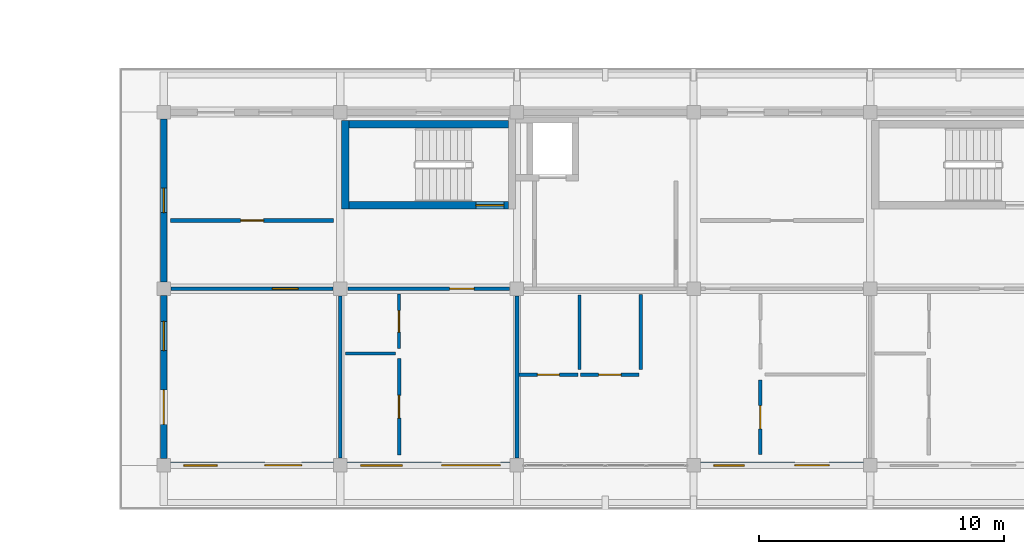
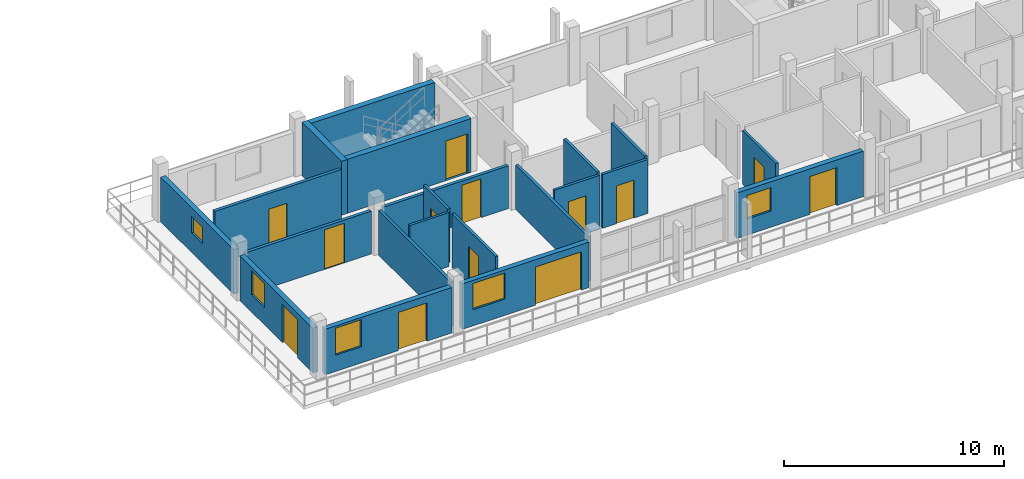
# One storey, part 44 of 67: 21 walls, 13 doors, 5 windows, 18 openings.
"""IFC4 building model written with IfcOpenShell, lengths in metres."""

import ifcopenshell
import ifcopenshell.guid

model = None  # the IFC model being written
_history = None  # IfcOwnerHistory: only IFC2X3 demands one
_inside = {}  # id of a spatial element -> (the spatial element, [elements in it])
_under = {}  # id of a project, library or spatial element -> (it, [spatial elements below it])
_declared = {}  # id of a project -> (the project, [libraries it declares])
_typed = {}  # id of a type object -> (the type object, [elements of that type])
_made_of = {}  # id of a material, layer set ... -> (it, [elements and type objects made of it])


def new_model(schema):
    """Start an empty IFC model of exactly this schema.

    Asked for "IFC4X3", IfcOpenShell would pick the latest addendum, in which some entities
    have other attributes; the version numbers below select the first issue.
    IFC2X3 requires an IfcOwnerHistory on every rooted entity: one is made here for all.
    """
    global model, _history
    if schema == "IFC4X3":
        model = ifcopenshell.file(schema_version=(4, 3, 0, 0))
    else:
        model = ifcopenshell.file(schema=schema)
    _inside.clear()
    _under.clear()
    _declared.clear()
    _typed.clear()
    _made_of.clear()
    _history = None
    if model.schema == "IFC2X3":
        org = make("IfcOrganization", Name="unknown")
        user = make(
            "IfcPersonAndOrganization",
            ThePerson=make("IfcPerson", FamilyName="unknown"),
            TheOrganization=org,
        )
        app = make(
            "IfcApplication",
            ApplicationDeveloper=org,
            Version="unknown",
            ApplicationFullName="unknown",
            ApplicationIdentifier="unknown",
        )
        _history = make(
            "IfcOwnerHistory",
            OwningUser=user,
            OwningApplication=app,
            ChangeAction="ADDED",
            CreationDate=0,
        )
    return model


def make(cls, **values):
    """One entity of the class cls with the attributes given. An attribute that is None is left unset."""
    return model.create_entity(
        cls, **{name: value for name, value in values.items() if value is not None}
    )


def rooted(cls, **values):
    """An entity with a GlobalId (a new one), such as an element, a storey or a relation."""
    return make(cls, GlobalId=ifcopenshell.guid.new(), OwnerHistory=_history, **values)


def si_unit(unit_type, name, prefix=None):
    """IfcSIUnit, for example si_unit("LENGTHUNIT", "METRE", prefix="MILLI")."""
    return make("IfcSIUnit", UnitType=unit_type, Prefix=prefix, Name=name)


def assignment(units):
    """IfcUnitAssignment: the units of a project."""
    return None if units is None else make("IfcUnitAssignment", Units=units)


def point(xyz):
    """IfcCartesianPoint."""
    return None if xyz is None else make("IfcCartesianPoint", Coordinates=xyz)


def direction(xyz):
    """IfcDirection."""
    return None if xyz is None else make("IfcDirection", DirectionRatios=xyz)


def frame(location, z_axis=None, x_axis=None):
    """IfcAxis2Placement3D, a coordinate frame: its origin and axes. An axis left out is left unset."""
    return make(
        "IfcAxis2Placement3D",
        Location=point(location),
        Axis=direction(z_axis),
        RefDirection=direction(x_axis),
    )


def frame_2d(location, x_axis=None):
    """IfcAxis2Placement2D, a coordinate frame in the plane: its origin and x axis."""
    return make(
        "IfcAxis2Placement2D", Location=point(location), RefDirection=direction(x_axis)
    )


def origin():
    """The frame at (0, 0, 0) with its axes left unset."""
    return frame((0.0, 0.0, 0.0))


def place(relative_to, where):
    """IfcLocalPlacement: puts the frame where relative to a parent placement (None: the world)."""
    return make(
        "IfcLocalPlacement", PlacementRelTo=relative_to, RelativePlacement=where
    )


def context(
    kind, dimensions, precision=None, world=None, true_north=None, identifier=None
):
    """IfcGeometricRepresentationContext, for example the 3D "Model" context."""
    return make(
        "IfcGeometricRepresentationContext",
        ContextIdentifier=identifier,
        ContextType=kind,
        CoordinateSpaceDimension=dimensions,
        Precision=precision,
        WorldCoordinateSystem=world,
        TrueNorth=true_north,
    )


def subcontext(parent, identifier, kind, view, scale=None):
    """IfcGeometricRepresentationSubContext, for example "Body" below "Model"."""
    return make(
        "IfcGeometricRepresentationSubContext",
        ContextIdentifier=identifier,
        ContextType=kind,
        ParentContext=parent,
        TargetScale=scale,
        TargetView=view,
    )


def project(units=None, contexts=None):
    """IfcProject with its units and contexts."""
    return rooted(
        "IfcProject",
        Name="project",
        RepresentationContexts=contexts,
        UnitsInContext=assignment(units),
    )


def spatial(cls, under=None, at=None, **own):
    """A site, building, storey or space (cls), placed at a placement, below another one or the project."""
    s = rooted(cls, ObjectPlacement=at, **own)
    if under is not None:
        _under.setdefault(under.id(), (under, []))[1].append(s)
    return s


def profile(cls, at=None, kind="AREA", **sizes):
    """A parametric profile (cls). Its sizes go by their IFC names, for example OverallWidth=200.0."""
    return make(cls, ProfileType=kind, Position=at, **sizes)


def rectangle(**sizes):
    """IfcRectangleProfileDef."""
    return profile("IfcRectangleProfileDef", **sizes)


def extrude(swept, where, along, depth):
    """IfcExtrudedAreaSolid: the profile swept, set in the frame where, extruded along a direction by depth."""
    return make(
        "IfcExtrudedAreaSolid",
        SweptArea=swept,
        Position=where,
        ExtrudedDirection=direction(along),
        Depth=depth,
    )


def shape(context_of_items, identifier, shape_type, items):
    """IfcShapeRepresentation: the items that make up one representation, for example the "Body"."""
    return make(
        "IfcShapeRepresentation",
        ContextOfItems=context_of_items,
        RepresentationIdentifier=identifier,
        RepresentationType=shape_type,
        Items=items,
    )


def material(Name=None, Category=None):
    """IfcMaterial."""
    return make("IfcMaterial", Name=Name, Category=Category)


def layer(
    of_material, thickness, ventilated=None, Name=None, Category=None, Priority=None
):
    """IfcMaterialLayer: one layer of a wall or slab, of a material (None: an air gap)."""
    return make(
        "IfcMaterialLayer",
        Material=of_material,
        LayerThickness=thickness,
        IsVentilated=ventilated,
        Name=Name,
        Category=Category,
        Priority=Priority,
    )


def layer_set(layers, Name=None):
    """IfcMaterialLayerSet."""
    return make("IfcMaterialLayerSet", MaterialLayers=layers, LayerSetName=Name)


def made_of(thing, what):
    """Note that an element or type object is made of a material, layer set ...; save() writes the relation."""
    if what is not None:
        _made_of.setdefault(what.id(), (what, []))[1].append(thing)
    return thing


def type_object(cls, material=None, **own):
    """A type object (cls), such as IfcWallType, which elements share."""
    return made_of(rooted(cls, **own), material)


def element(
    cls,
    number,
    at=None,
    inside=None,
    cuts=None,
    type_object=None,
    material=None,
    context=None,
    identifier="Body",
    shape_type=None,
    held_by="IfcProductDefinitionShape",
    body=None,
    shapes=None,
    **own,
):
    """One element of the class cls, such as IfcWall. Its Tag is "e" and its number.

    at: its placement. inside: the storey or other place that contains it. cuts: it is an
    opening in that element (IfcRelVoidsElement). A single representation is given by context,
    identifier, shape_type and body (its items); several are given by shapes. held_by: the class
    of the entity that holds the representations. save() writes the other relations.
    """
    e = rooted(cls, Tag="e%d" % number, ObjectPlacement=at, **own)
    if body is not None:
        shapes = [shape(context, identifier, shape_type, body)]
    if shapes is not None:
        e.Representation = make(held_by, Representations=shapes)
    if inside is not None:
        _inside.setdefault(inside.id(), (inside, []))[1].append(e)
    if cuts is not None:
        rooted(
            "IfcRelVoidsElement", RelatingBuildingElement=cuts, RelatedOpeningElement=e
        )
    if type_object is not None:
        _typed.setdefault(type_object.id(), (type_object, []))[1].append(e)
    return made_of(e, material)


def fill(opening, filler):
    """IfcRelFillsElement: the door or window that sits in an opening."""
    return rooted(
        "IfcRelFillsElement",
        RelatingOpeningElement=opening,
        RelatedBuildingElement=filler,
    )


def aggregate(whole, parts):
    """IfcRelAggregates: a whole, such as a stair, and the parts it consists of."""
    return rooted("IfcRelAggregates", RelatingObject=whole, RelatedObjects=parts)


def save(model, path):
    """Write the relations noted so far, then the file.

    IfcRelAggregates (storeys below a building ...), IfcRelContainedInSpatialStructure (elements
    in a storey), IfcRelDefinesByType, IfcRelAssociatesMaterial and IfcRelDeclares: one each for
    every whole, place, type object, material and project.
    """
    for whole, parts in _under.values():
        aggregate(whole, parts)
    for where, things in _inside.values():
        rooted(
            "IfcRelContainedInSpatialStructure",
            RelatedElements=things,
            RelatingStructure=where,
        )
    for kind, things in _typed.values():
        rooted("IfcRelDefinesByType", RelatedObjects=things, RelatingType=kind)
    for what, things in _made_of.values():
        rooted("IfcRelAssociatesMaterial", RelatedObjects=things, RelatingMaterial=what)
    for by, libraries in _declared.values():
        rooted("IfcRelDeclares", RelatingContext=by, RelatedDefinitions=libraries)
    model.write(path)


model = new_model("IFC4")

# Units and contexts
model_context = context("Model", 3, precision=1e-05, world=origin(), true_north=direction((0.0, 1.0)))
body_context = subcontext(model_context, "Body", "Model", "MODEL_VIEW")
ifc_project = project(units=[si_unit("LENGTHUNIT", "METRE"), si_unit("AREAUNIT", "SQUARE_METRE"), si_unit("VOLUMEUNIT", "CUBIC_METRE"), si_unit("PLANEANGLEUNIT", "RADIAN"), si_unit("MASSUNIT", "GRAM", prefix="KILO")], contexts=[model_context])

# Site, building, storey
site_placement = place(None, origin())
site = spatial("IfcSite", under=ifc_project, at=site_placement, CompositionType="ELEMENT")
building_placement = place(site_placement, origin())
building = spatial("IfcBuilding", under=site, at=building_placement, Name="Suanplinth Sawtooth Commons", CompositionType="ELEMENT")
storey_placement = place(building_placement, frame((0.0, 0.0, 25.10009765625)))
storey = spatial("IfcBuildingStorey", under=building, at=storey_placement, Name="L07", CompositionType="ELEMENT", Elevation=25.10009765625)

# Wall, opening, door
ifc_material_1 = material(Name="Concrete C40/50", Category="concrete")
ifc_layer_1 = layer(ifc_material_1, 0.300048828125, Name="Standard RC stair and lift core wall 300mm")
ifc_layer_set_1 = layer_set([ifc_layer_1], Name="Concrete C40/50")
wall_type_1 = type_object("IfcWallType", Name="W-CR02", PredefinedType="SHEAR", material=ifc_layer_set_1)
wall_1_placement = place(storey_placement, frame((137.14990234375, 10.60009765625, 0.0), z_axis=(0.0, 0.0, 1.0), x_axis=(1.0, 0.0, 0.0)))
wall_1 = element("IfcWall", 1, at=wall_1_placement, inside=storey, type_object=wall_type_1, Name="W-L07-C-C1-STS", PredefinedType="SHEAR", context=body_context, shape_type="SweptSolid", body=[
    extrude(rectangle(XDim=6.5, YDim=0.300048828125, at=frame_2d((3.25, 0.0))), origin(), (0.0, 0.0, 1.0), 2.989990234375),
])
opening_1_placement = place(wall_1_placement, frame((5.169921875, 0.0, 0.0)))
opening_1 = element("IfcOpeningElement", 2, at=opening_1_placement, cuts=wall_1, Name="Opening FD0308", PredefinedType="OPENING", context=body_context, shape_type="SweptSolid", body=[
    extrude(rectangle(XDim=1.14990234375, YDim=2.199951171875, at=frame_2d((0.574951171875, 1.10009765625))), frame((0.0, 0.1650390625, 0.0), z_axis=(0.0, -1.0, 0.0), x_axis=(1.0, 0.0, 0.0)), (0.0, 0.0, 1.0), 0.329833984375),
])
ifc_material_2 = material(Name="Teak hardwood fire-rated door assembly", Category="wood")
door_type_1 = type_object("IfcDoorType", Name="FD-01", OperationType="NOTDEFINED", PredefinedType="DOOR", material=ifc_material_2)
door_1_placement = place(opening_1_placement, origin())
door_1 = element("IfcDoor", 3, at=door_1_placement, inside=storey, type_object=door_type_1, Name="Exit Stair Fire Door FD0308", OperationType="SINGLE_SWING_LEFT", OverallHeight=2.199951171875, OverallWidth=1.14990234375, PredefinedType="DOOR", context=body_context, shape_type="SweptSolid", body=[
    extrude(rectangle(XDim=1.14990234375, YDim=2.199951171875, at=frame_2d((0.574951171875, 1.10009765625))), frame((0.0, 0.02490234375, 0.0), z_axis=(0.0, -1.0, 0.0), x_axis=(1.0, 0.0, 0.0)), (0.0, 0.0, 1.0), 0.050048828125),
])
fill(opening_1, door_1)

# Walls
wall_2_placement = place(storey_placement, frame((137.14990234375, 13.89990234375, 0.0), z_axis=(0.0, 0.0, 1.0), x_axis=(1.0, 0.0, 0.0)))
element("IfcWall", 4, at=wall_2_placement, inside=storey, type_object=wall_type_1, Name="W-L07-C-C1-STN", PredefinedType="SHEAR", context=body_context, shape_type="SweptSolid", body=[
    extrude(rectangle(XDim=6.5, YDim=0.300048828125, at=frame_2d((3.25, 0.0))), origin(), (0.0, 0.0, 1.0), 2.989990234375),
])
wall_3_placement = place(storey_placement, frame((137.0, 10.449951171875, 0.0), z_axis=(0.0, 0.0, 1.0), x_axis=(0.0, 1.0, 0.0)))
element("IfcWall", 5, at=wall_3_placement, inside=storey, type_object=wall_type_1, Name="W-L07-C-C1-STW", PredefinedType="SHEAR", context=body_context, shape_type="SweptSolid", body=[
    extrude(rectangle(XDim=3.60009765625, YDim=0.300048828125, at=frame_2d((1.800048828125, 0.0))), origin(), (0.0, 0.0, 1.0), 2.989990234375),
])

# Wall, openings, door, window
ifc_material_3 = material(Name="Precast concrete C40/50", Category="concrete")
ifc_layer_2 = layer(ifc_material_3, 0.260009765625, Name="Insulated precast courtyard facade wall 260mm")
ifc_layer_set_2 = layer_set([ifc_layer_2], Name="Precast concrete C40/50")
wall_type_2 = type_object("IfcWallType", Name="W-EX02", PredefinedType="ELEMENTEDWALL", material=ifc_layer_set_2)
wall_4_placement = place(storey_placement, frame((129.875, 0.0, 0.0), z_axis=(0.0, 0.0, 1.0), x_axis=(1.0, 0.0, 0.0)))
wall_4 = element("IfcWall", 6, at=wall_4_placement, inside=storey, type_object=wall_type_2, Name="Facade Wall W-L07-C-S-18-0", PredefinedType="ELEMENTEDWALL", context=body_context, shape_type="SweptSolid", body=[
    extrude(rectangle(XDim=6.64990234375, YDim=0.260009765625, at=frame_2d((3.324951171875, 0.0))), origin(), (0.0, 0.0, 1.0), 2.52490234375),
])
opening_2_placement = place(wall_4_placement, frame((3.85009765625, 0.0, 0.0)))
opening_2 = element("IfcOpeningElement", 7, at=opening_2_placement, cuts=wall_4, Name="Opening ED0591", PredefinedType="OPENING", context=body_context, shape_type="SweptSolid", body=[
    extrude(rectangle(XDim=1.5, YDim=2.1201171875, at=frame_2d((0.75, 1.06005859375))), frame((0.0, 0.14501953125, 0.0), z_axis=(0.0, -1.0, 0.0), x_axis=(1.0, 0.0, 0.0)), (0.0, 0.0, 1.0), 0.289794921875),
])
opening_3_placement = place(wall_4_placement, frame((0.550048828125, 0.0, 0.89990234375)))
opening_3 = element("IfcOpeningElement", 8, at=opening_3_placement, cuts=wall_4, Name="Opening W0671", PredefinedType="OPENING", context=body_context, shape_type="SweptSolid", body=[
    extrude(rectangle(XDim=1.35009765625, YDim=1.5, at=frame_2d((0.675048828125, 0.75))), frame((0.0, 0.14501953125, 0.0), z_axis=(0.0, -1.0, 0.0), x_axis=(1.0, 0.0, 0.0)), (0.0, 0.0, 1.0), 0.289794921875),
])
ifc_material_4 = material(Name="Anodized aluminium and low-E glass", Category="aluminium")
door_type_2 = type_object("IfcDoorType", Name="SD-03", OperationType="SLIDING_TO_LEFT", PredefinedType="DOOR", material=ifc_material_4)
door_2_placement = place(opening_2_placement, frame((1.5, 0.0, 0.0), z_axis=(0.0, 0.0, 1.0), x_axis=(-1.0, 0.0, 0.0)))
door_2 = element("IfcDoor", 9, at=door_2_placement, inside=storey, type_object=door_type_2, Name="Balcony Sliding Door L07-C-18", OperationType="SLIDING_TO_LEFT", OverallHeight=2.1201171875, OverallWidth=1.5, PredefinedType="DOOR", context=body_context, shape_type="SweptSolid", body=[
    extrude(rectangle(XDim=1.5, YDim=2.1201171875, at=frame_2d((0.75, 1.06005859375))), frame((0.0, 0.02490234375, 0.0), z_axis=(0.0, -1.0, 0.0), x_axis=(1.0, 0.0, 0.0)), (0.0, 0.0, 1.0), 0.050048828125),
])
fill(opening_2, door_2)
ifc_material_5 = material(Name="Thermally broken aluminium and low-E double glazing", Category="aluminium")
window_type_1 = type_object("IfcWindowType", Name="WN-14", PartitioningType="SINGLE_PANEL", PredefinedType="WINDOW", material=ifc_material_5)
window_1_placement = place(opening_3_placement, origin())
window_1 = element("IfcWindow", 10, at=window_1_placement, inside=storey, type_object=window_type_1, Name="Apartment Window L07-C-18", OverallHeight=1.5, OverallWidth=1.35009765625, PartitioningType="SINGLE_PANEL", PredefinedType="WINDOW", context=body_context, shape_type="SweptSolid", body=[
    extrude(rectangle(XDim=1.35009765625, YDim=1.5, at=frame_2d((0.675048828125, 0.75))), frame((0.0, 0.030029296875, 0.0), z_axis=(0.0, -1.0, 0.0), x_axis=(1.0, 0.0, 0.0)), (0.0, 0.0, 1.0), 0.06005859375),
])
fill(opening_3, window_1)

wall_5_placement = place(storey_placement, frame((129.60009765625, 0.27490234375, 0.0), z_axis=(0.0, 0.0, 1.0), x_axis=(0.0, 1.0, 0.0)))
wall_5 = element("IfcWall", 11, at=wall_5_placement, inside=storey, type_object=wall_type_2, Name="Facade Wall W-L07-C-W-18-0", PredefinedType="ELEMENTEDWALL", context=body_context, shape_type="SweptSolid", body=[
    extrude(rectangle(XDim=6.650146484375, YDim=0.260009765625, at=frame_2d((3.3251953125, 0.0))), origin(), (0.0, 0.0, 1.0), 2.474853515625),
])
opening_4_placement = place(wall_5_placement, frame((1.39990234375, 0.0, 0.0)))
opening_4 = element("IfcOpeningElement", 12, at=opening_4_placement, cuts=wall_5, Name="Opening ED0592", PredefinedType="OPENING", context=body_context, shape_type="SweptSolid", body=[
    extrude(rectangle(XDim=1.39990234375, YDim=2.10009765625, at=frame_2d((0.699951171875, 1.050048828125))), frame((0.0, 0.14501953125, 0.0), z_axis=(0.0, -1.0, 0.0), x_axis=(1.0, 0.0, 0.0)), (0.0, 0.0, 1.0), 0.289794921875),
])
opening_5_placement = place(wall_5_placement, frame((4.39990234375, 0.0, 0.949951171875)))
opening_5 = element("IfcOpeningElement", 13, at=opening_5_placement, cuts=wall_5, Name="Opening W0672", PredefinedType="OPENING", context=body_context, shape_type="SweptSolid", body=[
    extrude(rectangle(XDim=1.199951171875, YDim=1.35009765625, at=frame_2d((0.60009765625, 0.675048828125))), frame((0.0, 0.14501953125, 0.0), z_axis=(0.0, -1.0, 0.0), x_axis=(1.0, 0.0, 0.0)), (0.0, 0.0, 1.0), 0.289794921875),
])
door_type_3 = type_object("IfcDoorType", Name="SD-07", OperationType="SLIDING_TO_RIGHT", PredefinedType="DOOR", material=ifc_material_4)
door_3_placement = place(opening_4_placement, frame((1.39990234375, 0.0, 0.0), z_axis=(0.0, 0.0, 1.0), x_axis=(-1.0, 0.0, 0.0)))
door_3 = element("IfcDoor", 14, at=door_3_placement, inside=storey, type_object=door_type_3, Name="End Balcony Sliding Door L07-C-W-18-0", OperationType="SLIDING_TO_RIGHT", OverallHeight=2.10009765625, OverallWidth=1.39990234375, PredefinedType="DOOR", context=body_context, shape_type="SweptSolid", body=[
    extrude(rectangle(XDim=1.39990234375, YDim=2.10009765625, at=frame_2d((0.699951171875, 1.050048828125))), frame((0.0, 0.02490234375, 0.0), z_axis=(0.0, -1.0, 0.0), x_axis=(1.0, 0.0, 0.0)), (0.0, 0.0, 1.0), 0.050048828125),
])
fill(opening_4, door_3)
window_type_2 = type_object("IfcWindowType", Name="WN-03", PartitioningType="SINGLE_PANEL", PredefinedType="WINDOW", material=ifc_material_5)
window_2_placement = place(opening_5_placement, origin())
window_2 = element("IfcWindow", 15, at=window_2_placement, inside=storey, type_object=window_type_2, Name="End Bedroom Window L07-C-18-0", OverallHeight=1.35009765625, OverallWidth=1.199951171875, PartitioningType="SINGLE_PANEL", PredefinedType="WINDOW", context=body_context, shape_type="SweptSolid", body=[
    extrude(rectangle(XDim=1.199951171875, YDim=1.35009765625, at=frame_2d((0.60009765625, 0.675048828125))), frame((0.0, 0.030029296875, 0.0), z_axis=(0.0, -1.0, 0.0), x_axis=(1.0, 0.0, 0.0)), (0.0, 0.0, 1.0), 0.06005859375),
])
fill(opening_5, window_2)

# Wall, opening, window
wall_6_placement = place(storey_placement, frame((129.60009765625, 7.47509765625, 0.0), z_axis=(0.0, 0.0, 1.0), x_axis=(0.0, 1.0, 0.0)))
wall_6 = element("IfcWall", 16, at=wall_6_placement, inside=storey, type_object=wall_type_2, Name="Facade Wall W-L07-C-W-18-1", PredefinedType="ELEMENTEDWALL", context=body_context, shape_type="SweptSolid", body=[
    extrude(rectangle(XDim=6.64990234375, YDim=0.260009765625, at=frame_2d((3.324951171875, 0.0))), origin(), (0.0, 0.0, 1.0), 2.474853515625),
])
opening_6_placement = place(wall_6_placement, frame((2.824951171875, 0.0, 1.10009765625)))
opening_6 = element("IfcOpeningElement", 17, at=opening_6_placement, cuts=wall_6, Name="Opening W0674", PredefinedType="OPENING", context=body_context, shape_type="SweptSolid", body=[
    extrude(rectangle(XDim=1.0, YDim=0.89990234375, at=frame_2d((0.5, 0.449951171875))), frame((0.0, 0.14501953125, 0.0), z_axis=(0.0, -1.0, 0.0), x_axis=(1.0, 0.0, 0.0)), (0.0, 0.0, 1.0), 0.289794921875),
])
window_type_3 = type_object("IfcWindowType", Name="WN-12", PartitioningType="SINGLE_PANEL", PredefinedType="WINDOW", material=ifc_material_5)
window_3_placement = place(opening_6_placement, origin())
window_3 = element("IfcWindow", 18, at=window_3_placement, inside=storey, type_object=window_type_3, Name="End Window L07-C-W-18-1", OverallHeight=0.89990234375, OverallWidth=1.0, PartitioningType="SINGLE_PANEL", PredefinedType="WINDOW", context=body_context, shape_type="SweptSolid", body=[
    extrude(rectangle(XDim=1.0, YDim=0.89990234375, at=frame_2d((0.5, 0.449951171875))), frame((0.0, 0.030029296875, 0.0), z_axis=(0.0, -1.0, 0.0), x_axis=(1.0, 0.0, 0.0)), (0.0, 0.0, 1.0), 0.06005859375),
])
fill(opening_6, window_3)

# Wall, openings, door, window
wall_7_placement = place(storey_placement, frame((137.074951171875, 0.0, 0.0), z_axis=(0.0, 0.0, 1.0), x_axis=(1.0, 0.0, 0.0)))
wall_7 = element("IfcWall", 19, at=wall_7_placement, inside=storey, type_object=wall_type_2, Name="Facade Wall W-L07-C-S-19-0", PredefinedType="ELEMENTEDWALL", context=body_context, shape_type="SweptSolid", body=[
    extrude(rectangle(XDim=6.650146484375, YDim=0.260009765625, at=frame_2d((3.3251953125, 0.0))), origin(), (0.0, 0.0, 1.0), 2.52490234375),
])
opening_7_placement = place(wall_7_placement, frame((3.85009765625, 0.0, 0.0)))
opening_7 = element("IfcOpeningElement", 20, at=opening_7_placement, cuts=wall_7, Name="Opening ED0594", PredefinedType="OPENING", context=body_context, shape_type="SweptSolid", body=[
    extrude(rectangle(XDim=2.39990234375, YDim=2.1201171875, at=frame_2d((1.199951171875, 1.06005859375))), frame((0.0, 0.14501953125, 0.0), z_axis=(0.0, -1.0, 0.0), x_axis=(1.0, 0.0, 0.0)), (0.0, 0.0, 1.0), 0.289794921875),
])
opening_8_placement = place(wall_7_placement, frame((0.550048828125, 0.0, 0.89990234375)))
opening_8 = element("IfcOpeningElement", 21, at=opening_8_placement, cuts=wall_7, Name="Opening W0675", PredefinedType="OPENING", context=body_context, shape_type="SweptSolid", body=[
    extrude(rectangle(XDim=1.699951171875, YDim=1.449951171875, at=frame_2d((0.85009765625, 0.72509765625))), frame((0.0, 0.14501953125, 0.0), z_axis=(0.0, -1.0, 0.0), x_axis=(1.0, 0.0, 0.0)), (0.0, 0.0, 1.0), 0.289794921875),
])
door_type_4 = type_object("IfcDoorType", Name="SD-04", OperationType="DOUBLE_DOOR_SLIDING", PredefinedType="DOOR", material=ifc_material_4)
door_4_placement = place(opening_7_placement, frame((2.39990234375, 0.0, 0.0), z_axis=(0.0, 0.0, 1.0), x_axis=(-1.0, 0.0, 0.0)))
door_4 = element("IfcDoor", 22, at=door_4_placement, inside=storey, type_object=door_type_4, Name="Balcony Sliding Door L07-C-19", OperationType="DOUBLE_DOOR_SLIDING", OverallHeight=2.1201171875, OverallWidth=2.39990234375, PredefinedType="DOOR", context=body_context, shape_type="SweptSolid", body=[
    extrude(rectangle(XDim=2.39990234375, YDim=2.1201171875, at=frame_2d((1.199951171875, 1.06005859375))), frame((0.0, 0.02490234375, 0.0), z_axis=(0.0, -1.0, 0.0), x_axis=(1.0, 0.0, 0.0)), (0.0, 0.0, 1.0), 0.050048828125),
])
fill(opening_7, door_4)
window_type_4 = type_object("IfcWindowType", Name="WN-15", PartitioningType="DOUBLE_PANEL_VERTICAL", PredefinedType="WINDOW", material=ifc_material_5)
window_4_placement = place(opening_8_placement, origin())
window_4 = element("IfcWindow", 23, at=window_4_placement, inside=storey, type_object=window_type_4, Name="Apartment Window L07-C-19", OverallHeight=1.449951171875, OverallWidth=1.699951171875, PartitioningType="DOUBLE_PANEL_VERTICAL", PredefinedType="WINDOW", context=body_context, shape_type="SweptSolid", body=[
    extrude(rectangle(XDim=1.699951171875, YDim=1.449951171875, at=frame_2d((0.85009765625, 0.72509765625))), frame((0.0, 0.030029296875, 0.0), z_axis=(0.0, -1.0, 0.0), x_axis=(1.0, 0.0, 0.0)), (0.0, 0.0, 1.0), 0.06005859375),
])
fill(opening_8, window_4)

wall_8_placement = place(storey_placement, frame((151.47509765625, 0.0, 0.0), z_axis=(0.0, 0.0, 1.0), x_axis=(1.0, 0.0, 0.0)))
wall_8 = element("IfcWall", 24, at=wall_8_placement, inside=storey, type_object=wall_type_2, Name="Facade Wall W-L07-C-S-21-0", PredefinedType="ELEMENTEDWALL", context=body_context, shape_type="SweptSolid", body=[
    extrude(rectangle(XDim=6.64990234375, YDim=0.260009765625, at=frame_2d((3.324951171875, 0.0))), origin(), (0.0, 0.0, 1.0), 2.52490234375),
])
opening_9_placement = place(wall_8_placement, frame((3.85009765625, 0.0, 0.0)))
opening_9 = element("IfcOpeningElement", 25, at=opening_9_placement, cuts=wall_8, Name="Opening ED0595", PredefinedType="OPENING", context=body_context, shape_type="SweptSolid", body=[
    extrude(rectangle(XDim=1.39990234375, YDim=2.10009765625, at=frame_2d((0.699951171875, 1.050048828125))), frame((0.0, 0.14501953125, 0.0), z_axis=(0.0, -1.0, 0.0), x_axis=(1.0, 0.0, 0.0)), (0.0, 0.0, 1.0), 0.289794921875),
])
opening_10_placement = place(wall_8_placement, frame((0.550048828125, 0.0, 0.89990234375)))
opening_10 = element("IfcOpeningElement", 26, at=opening_10_placement, cuts=wall_8, Name="Opening W0678", PredefinedType="OPENING", context=body_context, shape_type="SweptSolid", body=[
    extrude(rectangle(XDim=1.25, YDim=1.300048828125, at=frame_2d((0.625, 0.64990234375))), frame((0.0, 0.14501953125, 0.0), z_axis=(0.0, -1.0, 0.0), x_axis=(1.0, 0.0, 0.0)), (0.0, 0.0, 1.0), 0.289794921875),
])
door_5_placement = place(opening_9_placement, frame((1.39990234375, 0.0, 0.0), z_axis=(0.0, 0.0, 1.0), x_axis=(-1.0, 0.0, 0.0)))
door_5 = element("IfcDoor", 27, at=door_5_placement, inside=storey, type_object=door_type_3, Name="Balcony Sliding Door L07-C-21", OperationType="SLIDING_TO_RIGHT", OverallHeight=2.10009765625, OverallWidth=1.39990234375, PredefinedType="DOOR", context=body_context, shape_type="SweptSolid", body=[
    extrude(rectangle(XDim=1.39990234375, YDim=2.10009765625, at=frame_2d((0.699951171875, 1.050048828125))), frame((0.0, 0.02490234375, 0.0), z_axis=(0.0, -1.0, 0.0), x_axis=(1.0, 0.0, 0.0)), (0.0, 0.0, 1.0), 0.050048828125),
])
fill(opening_9, door_5)
window_type_5 = type_object("IfcWindowType", Name="WN-17", PartitioningType="SINGLE_PANEL", PredefinedType="WINDOW", material=ifc_material_5)
window_5_placement = place(opening_10_placement, origin())
window_5 = element("IfcWindow", 28, at=window_5_placement, inside=storey, type_object=window_type_5, Name="Apartment Window L07-C-21", OverallHeight=1.300048828125, OverallWidth=1.25, PartitioningType="SINGLE_PANEL", PredefinedType="WINDOW", context=body_context, shape_type="SweptSolid", body=[
    extrude(rectangle(XDim=1.25, YDim=1.300048828125, at=frame_2d((0.625, 0.64990234375))), frame((0.0, 0.030029296875, 0.0), z_axis=(0.0, -1.0, 0.0), x_axis=(1.0, 0.0, 0.0)), (0.0, 0.0, 1.0), 0.06005859375),
])
fill(opening_10, window_5)

# Wall, opening, door
ifc_layer_3 = layer(ifc_material_3, 0.159912109375, Name="Fire-rated corridor and lobby wall 160mm")
ifc_layer_set_3 = layer_set([ifc_layer_3], Name="Precast concrete C40/50")
wall_type_3 = type_object("IfcWallType", Name="W-FW01", PredefinedType="PARTITIONING", material=ifc_layer_set_3)
wall_9_placement = place(storey_placement, frame((129.905029296875, 7.199951171875, 0.0), z_axis=(0.0, 0.0, 1.0), x_axis=(1.0, 0.0, 0.0)))
wall_9 = element("IfcWall", 29, at=wall_9_placement, inside=storey, type_object=wall_type_3, Name="W-C-L07-U01-COR", PredefinedType="PARTITIONING", context=body_context, shape_type="SweptSolid", body=[
    extrude(rectangle(XDim=6.590087890625, YDim=0.159912109375, at=frame_2d((3.294921875, 0.0))), origin(), (0.0, 0.0, 1.0), 2.375),
])
opening_11_placement = place(wall_9_placement, frame((4.1201171875, 0.0, 0.0)))
opening_11 = element("IfcOpeningElement", 30, at=opening_11_placement, cuts=wall_9, Name="Opening D1573", PredefinedType="OPENING", context=body_context, shape_type="SweptSolid", body=[
    extrude(rectangle(XDim=1.050048828125, YDim=2.199951171875, at=frame_2d((0.52490234375, 1.10009765625))), frame((0.0, 0.0947265625, 0.0), z_axis=(0.0, -1.0, 0.0), x_axis=(1.0, 0.0, 0.0)), (0.0, 0.0, 1.0), 0.189697265625),
])
ifc_material_6 = material(Name="Teak hardwood", Category="wood")
door_type_5 = type_object("IfcDoorType", Name="D-05", OperationType="NOTDEFINED", PredefinedType="DOOR", material=ifc_material_6)
door_6_placement = place(opening_11_placement, frame((1.050048828125, 0.0, 0.0), z_axis=(0.0, 0.0, 1.0), x_axis=(-1.0, 0.0, 0.0)))
door_6 = element("IfcDoor", 31, at=door_6_placement, inside=storey, type_object=door_type_5, Name="Unit Entrance Door D1573", OperationType="SINGLE_SWING_LEFT", OverallHeight=2.199951171875, OverallWidth=1.050048828125, PredefinedType="DOOR", context=body_context, shape_type="SweptSolid", body=[
    extrude(rectangle(XDim=1.050048828125, YDim=2.199951171875, at=frame_2d((0.52490234375, 1.10009765625))), frame((0.0, 0.02490234375, 0.0), z_axis=(0.0, -1.0, 0.0), x_axis=(1.0, 0.0, 0.0)), (0.0, 0.0, 1.0), 0.050048828125),
])
fill(opening_11, door_6)

wall_10_placement = place(storey_placement, frame((137.10498046875, 7.199951171875, 0.0), z_axis=(0.0, 0.0, 1.0), x_axis=(1.0, 0.0, 0.0)))
wall_10 = element("IfcWall", 32, at=wall_10_placement, inside=storey, type_object=wall_type_3, Name="W-C-L07-U02-COR", PredefinedType="PARTITIONING", context=body_context, shape_type="SweptSolid", body=[
    extrude(rectangle(XDim=6.590087890625, YDim=0.159912109375, at=frame_2d((3.294921875, 0.0))), origin(), (0.0, 0.0, 1.0), 2.375),
])
opening_12_placement = place(wall_10_placement, frame((4.14501953125, 0.0, 0.0)))
opening_12 = element("IfcOpeningElement", 33, at=opening_12_placement, cuts=wall_10, Name="Opening FD1574", PredefinedType="OPENING", context=body_context, shape_type="SweptSolid", body=[
    extrude(rectangle(XDim=1.0, YDim=2.14990234375, at=frame_2d((0.5, 1.074951171875))), frame((0.0, 0.0947265625, 0.0), z_axis=(0.0, -1.0, 0.0), x_axis=(1.0, 0.0, 0.0)), (0.0, 0.0, 1.0), 0.189697265625),
])
door_type_6 = type_object("IfcDoorType", Name="FD-03", OperationType="NOTDEFINED", PredefinedType="DOOR", material=ifc_material_2)
door_7_placement = place(opening_12_placement, frame((1.0, 0.0, 0.0), z_axis=(0.0, 0.0, 1.0), x_axis=(-1.0, 0.0, 0.0)))
door_7 = element("IfcDoor", 34, at=door_7_placement, inside=storey, type_object=door_type_6, Name="Unit Entrance Door FD1574", OperationType="SINGLE_SWING_RIGHT", OverallHeight=2.14990234375, OverallWidth=1.0, PredefinedType="DOOR", context=body_context, shape_type="SweptSolid", body=[
    extrude(rectangle(XDim=1.0, YDim=2.14990234375, at=frame_2d((0.5, 1.074951171875))), frame((0.0, 0.02490234375, 0.0), z_axis=(0.0, -1.0, 0.0), x_axis=(1.0, 0.0, 0.0)), (0.0, 0.0, 1.0), 0.050048828125),
])
fill(opening_12, door_7)

wall_11_placement = place(storey_placement, frame((129.8798828125, 9.97998046875, 0.0), z_axis=(0.0, 0.0, 1.0), x_axis=(1.0, 0.0, 0.0)))
wall_11 = element("IfcWall", 35, at=wall_11_placement, inside=storey, type_object=wall_type_3, Name="W-C-L07-COURTROOM-39-COR", PredefinedType="PARTITIONING", context=body_context, shape_type="SweptSolid", body=[
    extrude(rectangle(XDim=6.64013671875, YDim=0.159912109375, at=frame_2d((3.320068359375, 0.0))), origin(), (0.0, 0.0, 1.0), 2.989990234375),
])
opening_13_placement = place(wall_11_placement, frame((2.85009765625, 0.0, 0.0)))
opening_13 = element("IfcOpeningElement", 36, at=opening_13_placement, cuts=wall_11, Name="Opening D1593", PredefinedType="OPENING", context=body_context, shape_type="SweptSolid", body=[
    extrude(rectangle(XDim=0.93994140625, YDim=2.1201171875, at=frame_2d((0.469970703125, 1.06005859375))), frame((0.0, 0.0947265625, 0.0), z_axis=(0.0, -1.0, 0.0), x_axis=(1.0, 0.0, 0.0)), (0.0, 0.0, 1.0), 0.189697265625),
])
door_type_7 = type_object("IfcDoorType", Name="D-15", OperationType="NOTDEFINED", PredefinedType="DOOR", material=ifc_material_6)
door_8_placement = place(opening_13_placement, origin())
door_8 = element("IfcDoor", 37, at=door_8_placement, inside=storey, type_object=door_type_7, Name="Study Studio Door D1593", OperationType="SINGLE_SWING_LEFT", OverallHeight=2.1201171875, OverallWidth=0.93994140625, PredefinedType="DOOR", context=body_context, shape_type="SweptSolid", body=[
    extrude(rectangle(XDim=0.93994140625, YDim=2.1201171875, at=frame_2d((0.469970703125, 1.06005859375))), frame((0.0, 0.02490234375, 0.0), z_axis=(0.0, -1.0, 0.0), x_axis=(1.0, 0.0, 0.0)), (0.0, 0.0, 1.0), 0.050048828125),
])
fill(opening_13, door_8)

# Walls
ifc_layer_4 = layer(ifc_material_3, 0.14990234375, Name="Acoustic precast party demising wall 150mm")
ifc_layer_set_4 = layer_set([ifc_layer_4], Name="Precast concrete C40/50")
wall_type_4 = type_object("IfcWallType", Name="W-FW02", PredefinedType="PARTITIONING", material=ifc_layer_set_4)
for number, where, z_axis, x_axis, name in (
    (38, (136.800048828125, 0.304931640625, 0.0), (0.0, 0.0, 1.0), (0.0, 1.0, 0.0), "W-C-L07-U01-PTY"),
    (39, (144.0, 0.304931640625, 0.0), (0.0, 0.0, 1.0), (0.0, 1.0, 0.0), "W-C-L07-U02-PTY"),
):
    element("IfcWall", number, at=place(storey_placement, frame(where, z_axis=z_axis, x_axis=x_axis)), inside=storey, type_object=wall_type_4, Name=name, PredefinedType="PARTITIONING", context=body_context, shape_type="SweptSolid", body=[
        extrude(rectangle(XDim=6.590087890625, YDim=0.14990234375, at=frame_2d((3.294921875, 0.0))), origin(), (0.0, 0.0, 1.0), 2.474853515625),
    ])

# Wall, opening, door
ifc_material_7 = material(Name="Gypsum plasterboard on steel stud", Category="steel")
ifc_layer_5 = layer(ifc_material_7, 0.139892578125, Name="Fire-rated kitchen partition 140mm")
ifc_layer_set_5 = layer_set([ifc_layer_5], Name="Gypsum plasterboard on steel stud")
wall_type_5 = type_object("IfcWallType", Name="W-PT01", PredefinedType="PARTITIONING", material=ifc_layer_set_5)
wall_12_placement = place(storey_placement, frame((139.195068359375, 0.419921875, 0.0), z_axis=(0.0, 0.0, 1.0), x_axis=(0.0, 1.0, 0.0)))
wall_12 = element("IfcWall", 40, at=wall_12_placement, inside=storey, type_object=wall_type_5, Name="W-C-L07-U02-KITE", PredefinedType="PARTITIONING", context=body_context, shape_type="SweptSolid", body=[
    extrude(rectangle(XDim=3.940185546875, YDim=0.139892578125, at=frame_2d((1.97021484375, 0.0))), origin(), (0.0, 0.0, 1.0), 2.989990234375),
])
opening_14_placement = place(wall_12_placement, frame((1.510009765625, 0.0, 0.0)))
opening_14 = element("IfcOpeningElement", 41, at=opening_14_placement, cuts=wall_12, Name="Opening D1576", PredefinedType="OPENING", context=body_context, shape_type="SweptSolid", body=[
    extrude(rectangle(XDim=0.919921875, YDim=2.10009765625, at=frame_2d((0.4599609375, 1.050048828125))), frame((0.0, 0.0849609375, 0.0), z_axis=(0.0, -1.0, 0.0), x_axis=(1.0, 0.0, 0.0)), (0.0, 0.0, 1.0), 0.169677734375),
])
door_type_8 = type_object("IfcDoorType", Name="D-02", OperationType="NOTDEFINED", PredefinedType="DOOR", material=ifc_material_6)
door_9_placement = place(opening_14_placement, origin())
door_9 = element("IfcDoor", 42, at=door_9_placement, inside=storey, type_object=door_type_8, Name="Kitchen Door D1576", OperationType="SINGLE_SWING_RIGHT", OverallHeight=2.10009765625, OverallWidth=0.919921875, PredefinedType="DOOR", context=body_context, shape_type="SweptSolid", body=[
    extrude(rectangle(XDim=0.919921875, YDim=2.10009765625, at=frame_2d((0.4599609375, 1.050048828125))), frame((0.0, 0.02490234375, 0.0), z_axis=(0.0, -1.0, 0.0), x_axis=(1.0, 0.0, 0.0)), (0.0, 0.0, 1.0), 0.050048828125),
])
fill(opening_14, door_9)

wall_13_placement = place(storey_placement, frame((146.60009765625, 3.68994140625, 0.0), z_axis=(0.0, 0.0, 1.0), x_axis=(1.0, 0.0, 0.0)))
wall_13 = element("IfcWall", 43, at=wall_13_placement, inside=storey, type_object=wall_type_5, Name="W-C-L07-U03-KIT1", PredefinedType="PARTITIONING", context=body_context, shape_type="SweptSolid", body=[
    extrude(rectangle(XDim=2.3798828125, YDim=0.139892578125, at=frame_2d((1.18994140625, 0.0))), origin(), (0.0, 0.0, 1.0), 2.989990234375),
])
opening_15_placement = place(wall_13_placement, frame((0.72998046875, 0.0, 0.0)))
opening_15 = element("IfcOpeningElement", 44, at=opening_15_placement, cuts=wall_13, Name="Opening D1579", PredefinedType="OPENING", context=body_context, shape_type="SweptSolid", body=[
    extrude(rectangle(XDim=0.919921875, YDim=2.10009765625, at=frame_2d((0.4599609375, 1.050048828125))), frame((0.0, 0.0849609375, 0.0), z_axis=(0.0, -1.0, 0.0), x_axis=(1.0, 0.0, 0.0)), (0.0, 0.0, 1.0), 0.169677734375),
])
door_10_placement = place(opening_15_placement, origin())
door_10 = element("IfcDoor", 45, at=door_10_placement, inside=storey, type_object=door_type_8, Name="Kitchen Door D1579", OperationType="SINGLE_SWING_LEFT", OverallHeight=2.10009765625, OverallWidth=0.919921875, PredefinedType="DOOR", context=body_context, shape_type="SweptSolid", body=[
    extrude(rectangle(XDim=0.919921875, YDim=2.10009765625, at=frame_2d((0.4599609375, 1.050048828125))), frame((0.0, 0.02490234375, 0.0), z_axis=(0.0, -1.0, 0.0), x_axis=(1.0, 0.0, 0.0)), (0.0, 0.0, 1.0), 0.050048828125),
])
fill(opening_15, door_10)

# Walls
wall_14_placement = place(storey_placement, frame((149.050048828125, 3.909912109375, 0.0), z_axis=(0.0, 0.0, 1.0), x_axis=(0.0, 1.0, 0.0)))
element("IfcWall", 46, at=wall_14_placement, inside=storey, type_object=wall_type_5, Name="W-C-L07-U03-KIT2", PredefinedType="PARTITIONING", context=body_context, shape_type="SweptSolid", body=[
    extrude(rectangle(XDim=3.06005859375, YDim=0.139892578125, at=frame_2d((1.530029296875, 0.0))), origin(), (0.0, 0.0, 1.0), 2.989990234375),
])
ifc_layer_6 = layer(ifc_material_7, 0.1298828125, Name="Moisture-resistant bathroom partition 130mm")
ifc_layer_set_6 = layer_set([ifc_layer_6], Name="Gypsum plasterboard on steel stud")
wall_type_6 = type_object("IfcWallType", Name="W-PT02", PredefinedType="PARTITIONING", material=ifc_layer_set_6)
wall_15_placement = place(storey_placement, frame((137.0, 4.56005859375, 0.0), z_axis=(0.0, 0.0, 1.0), x_axis=(1.0, 0.0, 0.0)))
element("IfcWall", 47, at=wall_15_placement, inside=storey, type_object=wall_type_6, Name="W-C-L07-U02-STDIV", PredefinedType="PARTITIONING", context=body_context, shape_type="SweptSolid", body=[
    extrude(rectangle(XDim=2.050048828125, YDim=0.1298828125, at=frame_2d((1.02490234375, 0.0))), origin(), (0.0, 0.0, 1.0), 2.989990234375),
])

# Wall, opening, door
wall_16_placement = place(storey_placement, frame((139.195068359375, 4.760009765625, 0.0), z_axis=(0.0, 0.0, 1.0), x_axis=(0.0, 1.0, 0.0)))
wall_16 = element("IfcWall", 48, at=wall_16_placement, inside=storey, type_object=wall_type_6, Name="W-C-L07-U02-BTHE", PredefinedType="PARTITIONING", context=body_context, shape_type="SweptSolid", body=[
    extrude(rectangle(XDim=2.219970703125, YDim=0.1298828125, at=frame_2d((1.10986328125, 0.0))), origin(), (0.0, 0.0, 1.0), 2.989990234375),
])
opening_16_placement = place(wall_16_placement, frame((0.669921875, 0.0, 0.0)))
opening_16 = element("IfcOpeningElement", 49, at=opening_16_placement, cuts=wall_16, Name="Opening D1575", PredefinedType="OPENING", context=body_context, shape_type="SweptSolid", body=[
    extrude(rectangle(XDim=0.8798828125, YDim=2.10009765625, at=frame_2d((0.43994140625, 1.050048828125))), frame((0.0, 0.079833984375, 0.0), z_axis=(0.0, -1.0, 0.0), x_axis=(1.0, 0.0, 0.0)), (0.0, 0.0, 1.0), 0.15966796875),
])
door_type_9 = type_object("IfcDoorType", Name="D-14", OperationType="NOTDEFINED", PredefinedType="DOOR", material=ifc_material_6)
door_11_placement = place(opening_16_placement, origin())
door_11 = element("IfcDoor", 50, at=door_11_placement, inside=storey, type_object=door_type_9, Name="Bathroom Door D1575", OperationType="SINGLE_SWING_LEFT", OverallHeight=2.10009765625, OverallWidth=0.8798828125, PredefinedType="DOOR", context=body_context, shape_type="SweptSolid", body=[
    extrude(rectangle(XDim=0.8798828125, YDim=2.10009765625, at=frame_2d((0.43994140625, 1.050048828125))), frame((0.0, 0.02490234375, 0.0), z_axis=(0.0, -1.0, 0.0), x_axis=(1.0, 0.0, 0.0)), (0.0, 0.0, 1.0), 0.050048828125),
])
fill(opening_16, door_11)

wall_17_placement = place(storey_placement, frame((144.080078125, 3.695068359375, 0.0), z_axis=(0.0, 0.0, 1.0), x_axis=(1.0, 0.0, 0.0)))
wall_17 = element("IfcWall", 51, at=wall_17_placement, inside=storey, type_object=wall_type_6, Name="W-C-L07-U03-BTH1", PredefinedType="PARTITIONING", context=body_context, shape_type="SweptSolid", body=[
    extrude(rectangle(XDim=2.39990234375, YDim=0.1298828125, at=frame_2d((1.199951171875, 0.0))), origin(), (0.0, 0.0, 1.0), 2.989990234375),
])
opening_17_placement = place(wall_17_placement, frame((0.75, 0.0, 0.0)))
opening_17 = element("IfcOpeningElement", 52, at=opening_17_placement, cuts=wall_17, Name="Opening D1578", PredefinedType="OPENING", context=body_context, shape_type="SweptSolid", body=[
    extrude(rectangle(XDim=0.89990234375, YDim=2.10009765625, at=frame_2d((0.449951171875, 1.050048828125))), frame((0.0, 0.079833984375, 0.0), z_axis=(0.0, -1.0, 0.0), x_axis=(1.0, 0.0, 0.0)), (0.0, 0.0, 1.0), 0.15966796875),
])
door_type_10 = type_object("IfcDoorType", Name="D-01", OperationType="NOTDEFINED", PredefinedType="DOOR", material=ifc_material_6)
door_12_placement = place(opening_17_placement, origin())
door_12 = element("IfcDoor", 53, at=door_12_placement, inside=storey, type_object=door_type_10, Name="Bathroom Door D1578", OperationType="SINGLE_SWING_RIGHT", OverallHeight=2.10009765625, OverallWidth=0.89990234375, PredefinedType="DOOR", context=body_context, shape_type="SweptSolid", body=[
    extrude(rectangle(XDim=0.89990234375, YDim=2.10009765625, at=frame_2d((0.449951171875, 1.050048828125))), frame((0.0, 0.02490234375, 0.0), z_axis=(0.0, -1.0, 0.0), x_axis=(1.0, 0.0, 0.0)), (0.0, 0.0, 1.0), 0.050048828125),
])
fill(opening_17, door_12)

# Wall
wall_18_placement = place(storey_placement, frame((146.544921875, 3.89990234375, 0.0), z_axis=(0.0, 0.0, 1.0), x_axis=(0.0, 1.0, 0.0)))
element("IfcWall", 54, at=wall_18_placement, inside=storey, type_object=wall_type_6, Name="W-C-L07-U03-BTH2", PredefinedType="PARTITIONING", context=body_context, shape_type="SweptSolid", body=[
    extrude(rectangle(XDim=3.0400390625, YDim=0.1298828125, at=frame_2d((1.52001953125, 0.0))), origin(), (0.0, 0.0, 1.0), 2.989990234375),
])

# Wall, opening, door
ifc_layer_7 = layer(ifc_material_7, 0.135009765625, Name="Insulated bedroom demising partition 135mm")
ifc_layer_set_7 = layer_set([ifc_layer_7], Name="Gypsum plasterboard on steel stud")
wall_type_7 = type_object("IfcWallType", Name="W-PT07", PredefinedType="PARTITIONING", material=ifc_layer_set_7)
wall_19_placement = place(storey_placement, frame((153.919921875, 0.43994140625, 0.0), z_axis=(0.0, 0.0, 1.0), x_axis=(0.0, 1.0, 0.0)))
wall_19 = element("IfcWall", 55, at=wall_19_placement, inside=storey, type_object=wall_type_7, Name="W-C-L07-U03-BED1", PredefinedType="PARTITIONING", context=body_context, shape_type="SweptSolid", body=[
    extrude(rectangle(XDim=3.0400390625, YDim=0.135009765625, at=frame_2d((1.52001953125, 0.0))), origin(), (0.0, 0.0, 1.0), 2.989990234375),
])
opening_18_placement = place(wall_19_placement, frame((1.044921875, 0.0, 0.0)))
opening_18 = element("IfcOpeningElement", 56, at=opening_18_placement, cuts=wall_19, Name="Opening D1580", PredefinedType="OPENING", context=body_context, shape_type="SweptSolid", body=[
    extrude(rectangle(XDim=0.949951171875, YDim=2.14990234375, at=frame_2d((0.47509765625, 1.074951171875))), frame((0.0, 0.08251953125, 0.0), z_axis=(0.0, -1.0, 0.0), x_axis=(1.0, 0.0, 0.0)), (0.0, 0.0, 1.0), 0.164794921875),
])
door_type_11 = type_object("IfcDoorType", Name="D-03", OperationType="NOTDEFINED", PredefinedType="DOOR", material=ifc_material_6)
door_13_placement = place(opening_18_placement, frame((0.949951171875, 0.0, 0.0), z_axis=(0.0, 0.0, 1.0), x_axis=(-1.0, 0.0, 0.0)))
door_13 = element("IfcDoor", 57, at=door_13_placement, inside=storey, type_object=door_type_11, Name="Bedroom Door D1580", OperationType="SINGLE_SWING_RIGHT", OverallHeight=2.14990234375, OverallWidth=0.949951171875, PredefinedType="DOOR", context=body_context, shape_type="SweptSolid", body=[
    extrude(rectangle(XDim=0.949951171875, YDim=2.14990234375, at=frame_2d((0.47509765625, 1.074951171875))), frame((0.0, 0.02490234375, 0.0), z_axis=(0.0, -1.0, 0.0), x_axis=(1.0, 0.0, 0.0)), (0.0, 0.0, 1.0), 0.050048828125),
])
fill(opening_18, door_13)

save(model, "model.ifc")
